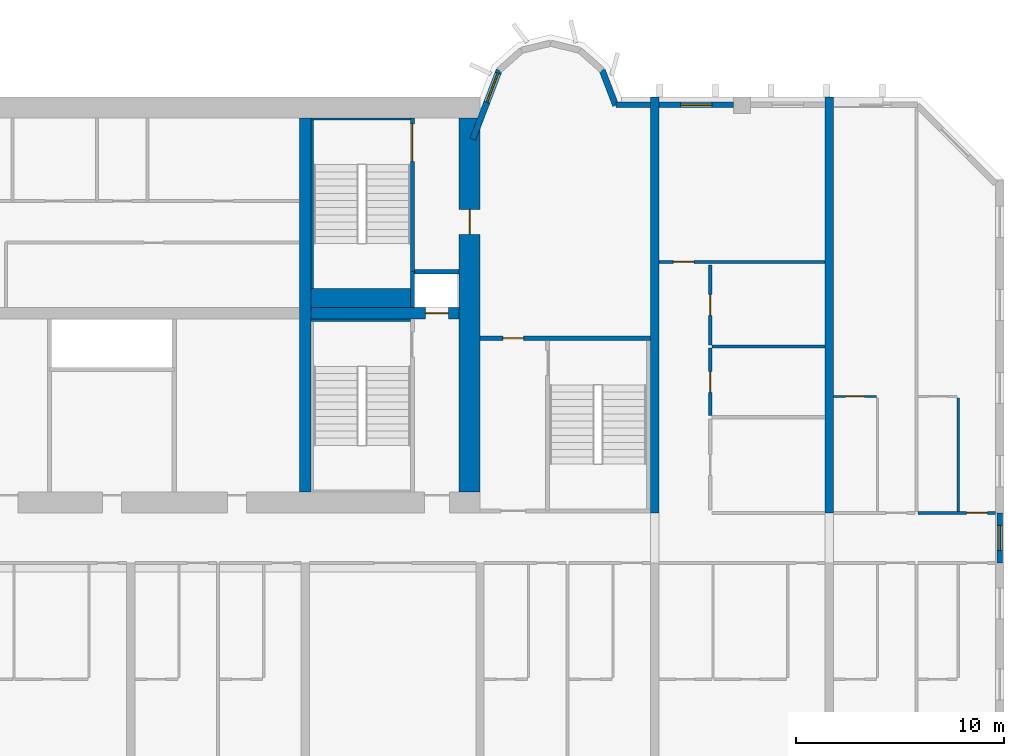
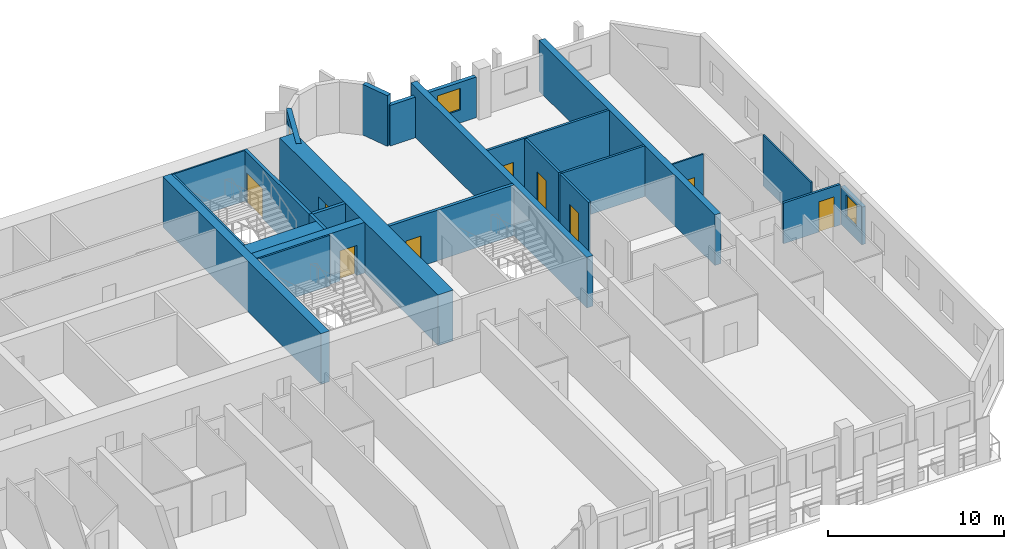
# One storey, part 10 of 15: 25 walls, 9 doors, 3 windows, 12 openings.
"""IFC4 building model written with IfcOpenShell, lengths in metres."""

from ifc_helpers import new_model, si_unit, direction, frame, frame_2d, origin, place, context, subcontext, project, spatial, rectangle, extrude, source, transform, mapped, material, layer, layer_set, type_object, element, fill, save


model = new_model("IFC4")

# Units and contexts
model_context = context("Model", 3, precision=1e-05, world=origin(), true_north=direction((0.0, 1.0)))
body_context = subcontext(model_context, "Body", "Model", "MODEL_VIEW")
ifc_project = project(units=[si_unit("LENGTHUNIT", "METRE"), si_unit("AREAUNIT", "SQUARE_METRE"), si_unit("VOLUMEUNIT", "CUBIC_METRE"), si_unit("PLANEANGLEUNIT", "RADIAN"), si_unit("MASSUNIT", "GRAM", prefix="KILO")], contexts=[model_context])

# Site, building, storey
site_placement = place(None, origin())
site = spatial("IfcSite", under=ifc_project, at=site_placement, CompositionType="ELEMENT")
building_placement = place(site_placement, origin())
building = spatial("IfcBuilding", under=site, at=building_placement, Name="Vanashikhar Sky Hotel", CompositionType="ELEMENT")
storey_placement = place(building_placement, frame((0.0, 0.0, 77.199951171875)))
storey = spatial("IfcBuildingStorey", under=building, at=storey_placement, Name="L18", CompositionType="ELEMENT", Elevation=77.199951171875)

# Wall, opening, door
ifc_material_1 = material(Name="Concrete M80", Category="concrete")
ifc_layer_1 = layer(ifc_material_1, 1.0)
ifc_layer_set_1 = layer_set([ifc_layer_1], Name="RC core shell wall 1000 Concrete M80")
wall_type_1 = type_object("IfcWallType", Name="RC core shell wall 1000 Concrete M80", PredefinedType="SHEAR", material=ifc_layer_set_1)
shared_shape_1 = source(origin(), body_context, "Body", "SweptSolid", [
    extrude(rectangle(XDim=18.0, YDim=1.0, at=frame_2d((9.0, 0.0))), origin(), (0.0, 0.0, 1.0), 3.52001953125),
])
wall_1_placement = place(storey_placement, frame((75.10009765625, 23.0, 0.0), z_axis=(0.0, 0.0, 1.0), x_axis=(0.0, 1.0, 0.0)))
wall_1 = element("IfcWall", 1, at=wall_1_placement, inside=storey, type_object=wall_type_1, Name="KW-L18-KE", PredefinedType="SHEAR", context=body_context, shape_type="MappedRepresentation", body=[
    mapped(shared_shape_1, transform((0.0, 0.0, 0.0), scale=1.0)),
])
shared_shape_2 = source(origin(), body_context, "Body", "SweptSolid", [
    extrude(rectangle(XDim=1.199951171875, YDim=2.10009765625, at=frame_2d((0.60009765625, 1.050048828125))), frame((0.0, 0.510009765625, 0.0), z_axis=(0.0, -1.0, 0.0), x_axis=(1.0, 0.0, 0.0)), (0.0, 0.0, 1.0), 1.02001953125),
])
opening_1_placement = place(wall_1_placement, frame((12.39990234375, 0.0, 0.0)))
opening_1 = element("IfcOpeningElement", 2, at=opening_1_placement, cuts=wall_1, Name="Opening DC-4-D", PredefinedType="OPENING", context=body_context, shape_type="MappedRepresentation", body=[
    mapped(shared_shape_2, transform((0.0, 0.0, 0.0), scale=1.0)),
])
ifc_material_2 = material(Name="Steel", Category="steel")
door_type_1 = type_object("IfcDoorType", Name="Service door 1200 FD120", OperationType="NOTDEFINED", PredefinedType="DOOR", material=ifc_material_2)
shared_shape_3 = source(origin(), body_context, "Body", "SweptSolid", [
    extrude(rectangle(XDim=1.199951171875, YDim=2.10009765625, at=frame_2d((0.60009765625, 1.050048828125))), frame((0.0, 0.02490234375, 0.0), z_axis=(0.0, -1.0, 0.0), x_axis=(1.0, 0.0, 0.0)), (0.0, 0.0, 1.0), 0.050048828125),
])
door_1_placement = place(opening_1_placement, origin())
door_1 = element("IfcDoor", 3, at=door_1_placement, inside=storey, type_object=door_type_1, Name="Service door 1200 FD120", OperationType="SINGLE_SWING_LEFT", OverallHeight=2.10009765625, OverallWidth=1.199951171875, PredefinedType="DOOR", context=body_context, shape_type="MappedRepresentation", body=[
    mapped(shared_shape_3, transform((0.0, 0.0, 0.0), scale=1.0)),
])
fill(opening_1, door_1)

# Wall
ifc_layer_2 = layer(ifc_material_1, 0.550048828125)
ifc_layer_set_2 = layer_set([ifc_layer_2], Name="RC core inner wall 550 Concrete M80")
wall_type_2 = type_object("IfcWallType", Name="RC core inner wall 550 Concrete M80", PredefinedType="SHEAR", material=ifc_layer_set_2)
shared_shape_4 = source(origin(), body_context, "Body", "SweptSolid", [
    extrude(rectangle(XDim=18.0, YDim=0.550048828125, at=frame_2d((9.0, 0.0))), origin(), (0.0, 0.0, 1.0), 3.52001953125),
])
wall_2_placement = place(storey_placement, frame((67.199951171875, 23.0, 0.0), z_axis=(0.0, 0.0, 1.0), x_axis=(0.0, 1.0, 0.0)))
element("IfcWall", 4, at=wall_2_placement, inside=storey, type_object=wall_type_2, Name="KW-L18-KX3", PredefinedType="SHEAR", context=body_context, shape_type="MappedRepresentation", body=[
    mapped(shared_shape_4, transform((0.0, 0.0, 0.0), scale=1.0)),
])

# Wall, opening, door
shared_shape_5 = source(origin(), body_context, "Body", "SweptSolid", [
    extrude(rectangle(XDim=7.125, YDim=0.550048828125, at=frame_2d((3.5625, 0.0))), origin(), (0.0, 0.0, 1.0), 3.52001953125),
])
wall_3_placement = place(storey_placement, frame((67.47509765625, 31.60009765625, 0.0), z_axis=(0.0, 0.0, 1.0), x_axis=(1.0, 0.0, 0.0)))
wall_3 = element("IfcWall", 5, at=wall_3_placement, inside=storey, type_object=wall_type_2, Name="KW-L18-KY4", PredefinedType="SHEAR", context=body_context, shape_type="MappedRepresentation", body=[
    mapped(shared_shape_5, transform((0.0, 0.0, 0.0), scale=1.0)),
])
shared_shape_6 = source(origin(), body_context, "Body", "SweptSolid", [
    extrude(rectangle(XDim=1.10009765625, YDim=2.10009765625, at=frame_2d((0.550048828125, 1.050048828125))), frame((0.0, 0.28515625, 0.0), z_axis=(0.0, -1.0, 0.0), x_axis=(1.0, 0.0, 0.0)), (0.0, 0.0, 1.0), 0.570068359375),
])
opening_2_placement = place(wall_3_placement, frame((5.5, 0.0, 0.0)))
opening_2 = element("IfcOpeningElement", 6, at=opening_2_placement, cuts=wall_3, Name="Opening LD", PredefinedType="OPENING", context=body_context, shape_type="MappedRepresentation", body=[
    mapped(shared_shape_6, transform((0.0, 0.0, 0.0), scale=1.0)),
])
ifc_material_3 = material(Name="Stainless steel", Category="steel")
door_type_2 = type_object("IfcDoorType", Name="Lift landing door 1100", OperationType="NOTDEFINED", PredefinedType="DOOR", material=ifc_material_3)
shared_shape_7 = source(origin(), body_context, "Body", "SweptSolid", [
    extrude(rectangle(XDim=1.10009765625, YDim=2.10009765625, at=frame_2d((0.550048828125, 1.050048828125))), frame((0.0, 0.02490234375, 0.0), z_axis=(0.0, -1.0, 0.0), x_axis=(1.0, 0.0, 0.0)), (0.0, 0.0, 1.0), 0.050048828125),
])
door_2_placement = place(opening_2_placement, origin())
door_2 = element("IfcDoor", 7, at=door_2_placement, inside=storey, type_object=door_type_2, Name="Lift landing door 1100", OperationType="SLIDING_TO_RIGHT", OverallHeight=2.10009765625, OverallWidth=1.10009765625, PredefinedType="DOOR", context=body_context, shape_type="MappedRepresentation", body=[
    mapped(shared_shape_7, transform((0.0, 0.0, 0.0), scale=1.0)),
])
fill(opening_2, door_2)

# Walls
ifc_layer_3 = layer(ifc_material_1, 0.39990234375)
ifc_layer_set_3 = layer_set([ifc_layer_3], Name="RC shear wall 400 Concrete M80")
wall_type_3 = type_object("IfcWallType", Name="RC shear wall 400 Concrete M80", PredefinedType="SHEAR", material=ifc_layer_set_3)
shared_shape_8 = source(origin(), body_context, "Body", "SweptSolid", [
    extrude(rectangle(XDim=20.0, YDim=0.39990234375, at=frame_2d((10.0, 0.0))), origin(), (0.0, 0.0, 1.0), 3.52001953125),
])
for number, where, z_axis, x_axis, name in (
    (8, (84.0, 22.0, 0.0), (0.0, 0.0, 1.0), (0.0, 1.0, 0.0), "CW-L18-XW11-2"),
    (9, (92.39990234375, 22.0, 0.0), (0.0, 0.0, 1.0), (0.0, 1.0, 0.0), "CW-L18-XW12-2"),
):
    element("IfcWall", number, at=place(storey_placement, frame(where, z_axis=z_axis, x_axis=x_axis)), inside=storey, type_object=wall_type_3, Name=name, PredefinedType="SHEAR", context=body_context, shape_type="MappedRepresentation", body=[
        mapped(shared_shape_8, transform((0.0, 0.0, 0.0), scale=1.0)),
    ])

# Wall, opening, window
ifc_material_4 = material(Name="Concrete M50", Category="concrete")
ifc_layer_4 = layer(ifc_material_4, 0.300048828125)
ifc_layer_set_4 = layer_set([ifc_layer_4], Name="Lobe wall 300")
wall_type_4 = type_object("IfcWallType", Name="Lobe wall 300", PredefinedType="SOLIDWALL", material=ifc_layer_set_4)
shared_shape_9 = source(origin(), body_context, "Body", "SweptSolid", [
    extrude(rectangle(XDim=3.55908203125, YDim=0.300048828125, at=frame_2d((1.779541015625, 0.0))), origin(), (0.0, 0.0, 1.0), 3.52001953125),
])
wall_4_placement = place(storey_placement, frame((76.5234375, 43.2919921875, 0.0), z_axis=(0.0, 0.0, 1.0), x_axis=(-0.35779745313, -0.933799219604, 0.0)))
wall_4 = element("IfcWall", 10, at=wall_4_placement, inside=storey, type_object=wall_type_4, Name="Lobe wall", PredefinedType="SOLIDWALL", context=body_context, shape_type="MappedRepresentation", body=[
    mapped(shared_shape_9, transform((0.0, 0.0, 0.0), scale=1.0)),
])
shared_shape_10 = source(origin(), body_context, "Body", "SweptSolid", [
    extrude(rectangle(XDim=1.5, YDim=2.0, at=frame_2d((0.75, 1.0))), frame((0.0, 0.16015625, 0.0), z_axis=(0.0, -1.0, 0.0), x_axis=(1.0, 0.0, 0.0)), (0.0, 0.0, 1.0), 0.320068359375),
])
opening_3_placement = place(wall_4_placement, frame((0.156005859375, 0.0, 0.89990234375)))
opening_3 = element("IfcOpeningElement", 11, at=opening_3_placement, cuts=wall_4, Name="Opening WN-2", PredefinedType="OPENING", context=body_context, shape_type="MappedRepresentation", body=[
    mapped(shared_shape_10, transform((0.0, 0.0, 0.0), scale=1.0)),
])
ifc_material_5 = material(Name="Glass", Category="glass")
window_type_1 = type_object("IfcWindowType", Name="Lobe window 1500 x 2000", PartitioningType="SINGLE_PANEL", PredefinedType="WINDOW", material=ifc_material_5)
shared_shape_11 = source(origin(), body_context, "Body", "SweptSolid", [
    extrude(rectangle(XDim=1.5, YDim=2.0, at=frame_2d((0.75, 1.0))), frame((0.0, 0.030029296875, 0.0), z_axis=(0.0, -1.0, 0.0), x_axis=(1.0, 0.0, 0.0)), (0.0, 0.0, 1.0), 0.06005859375),
])
window_1_placement = place(opening_3_placement, origin())
window_1 = element("IfcWindow", 12, at=window_1_placement, inside=storey, type_object=window_type_1, Name="Window WN-2", OverallHeight=2.0, OverallWidth=1.5, PartitioningType="SINGLE_PANEL", PredefinedType="WINDOW", context=body_context, shape_type="MappedRepresentation", body=[
    mapped(shared_shape_11, transform((0.0, 0.0, 0.0), scale=1.0)),
])
fill(opening_3, window_1)

# Wall
shared_shape_12 = source(origin(), body_context, "Body", "SweptSolid", [
    extrude(rectangle(XDim=1.81201171875, YDim=0.300048828125, at=frame_2d((0.906005859375, 0.0))), origin(), (0.0, 0.0, 1.0), 3.52001953125),
])
wall_5_placement = place(storey_placement, frame((82.125, 41.60009765625, 0.0), z_axis=(0.0, 0.0, 1.0), x_axis=(-0.357877270961, 0.93376863244, 0.0)))
element("IfcWall", 13, at=wall_5_placement, inside=storey, type_object=wall_type_4, Name="Lobe wall", PredefinedType="SOLIDWALL", context=body_context, shape_type="MappedRepresentation", body=[
    mapped(shared_shape_12, transform((0.0, 0.0, 0.0), scale=1.0)),
])

# Wall, opening, window
ifc_layer_5 = layer(ifc_material_4, 0.25)
ifc_layer_set_5 = layer_set([ifc_layer_5], Name="Rear and end board-marked wall 250")
wall_type_5 = type_object("IfcWallType", Name="Rear and end board-marked wall 250", PredefinedType="SOLIDWALL", material=ifc_layer_set_5)
shared_shape_13 = source(origin(), body_context, "Body", "SweptSolid", [
    extrude(rectangle(XDim=2.39990234375, YDim=0.25, at=frame_2d((1.199951171875, 0.0))), origin(), (0.0, 0.0, 1.0), 2.6201171875),
])
wall_6_placement = place(storey_placement, frame((100.60009765625, 19.60009765625, 0.0), z_axis=(0.0, 0.0, 1.0), x_axis=(0.0, 1.0, 0.0)))
wall_6 = element("IfcWall", 14, at=wall_6_placement, inside=storey, type_object=wall_type_5, Name="End corridor infill wall", PredefinedType="SOLIDWALL", context=body_context, shape_type="MappedRepresentation", body=[
    mapped(shared_shape_13, transform((0.0, 0.0, 0.0), scale=1.0)),
])
shared_shape_14 = source(origin(), body_context, "Body", "SweptSolid", [
    extrude(rectangle(XDim=1.199951171875, YDim=1.5, at=frame_2d((0.60009765625, 0.75))), frame((0.0, 0.135009765625, 0.0), z_axis=(0.0, -1.0, 0.0), x_axis=(1.0, 0.0, 0.0)), (0.0, 0.0, 1.0), 0.27001953125),
])
opening_4_placement = place(wall_6_placement, frame((0.60009765625, 0.0, 0.89990234375)))
opening_4 = element("IfcOpeningElement", 15, at=opening_4_placement, cuts=wall_6, Name="Opening WN-3", PredefinedType="OPENING", context=body_context, shape_type="MappedRepresentation", body=[
    mapped(shared_shape_14, transform((0.0, 0.0, 0.0), scale=1.0)),
])
window_type_2 = type_object("IfcWindowType", Name="Corridor end window 1200 x 1500", PartitioningType="SINGLE_PANEL", PredefinedType="WINDOW", material=ifc_material_5)
shared_shape_15 = source(origin(), body_context, "Body", "SweptSolid", [
    extrude(rectangle(XDim=1.199951171875, YDim=1.5, at=frame_2d((0.60009765625, 0.75))), frame((0.0, 0.030029296875, 0.0), z_axis=(0.0, -1.0, 0.0), x_axis=(1.0, 0.0, 0.0)), (0.0, 0.0, 1.0), 0.06005859375),
])
window_2_placement = place(opening_4_placement, origin())
window_2 = element("IfcWindow", 16, at=window_2_placement, inside=storey, type_object=window_type_2, Name="Window WN-3", OverallHeight=1.5, OverallWidth=1.199951171875, PartitioningType="SINGLE_PANEL", PredefinedType="WINDOW", context=body_context, shape_type="MappedRepresentation", body=[
    mapped(shared_shape_15, transform((0.0, 0.0, 0.0), scale=1.0)),
])
fill(opening_4, window_2)

# Wall
shared_shape_16 = source(origin(), body_context, "Body", "SweptSolid", [
    extrude(rectangle(XDim=1.657958984375, YDim=0.25, at=frame_2d((0.8291015625, 0.0))), origin(), (0.0, 0.0, 1.0), 2.820068359375),
])
wall_7_placement = place(storey_placement, frame((83.800048828125, 41.625, 0.0), z_axis=(0.0, 0.0, 1.0), x_axis=(-1.0, 0.0, 0.0)))
element("IfcWall", 17, at=wall_7_placement, inside=storey, type_object=wall_type_5, Name="Rear board-marked wall", PredefinedType="SOLIDWALL", context=body_context, shape_type="MappedRepresentation", body=[
    mapped(shared_shape_16, transform((0.0, 0.0, 0.0), scale=1.0)),
])

# Wall, opening, window
shared_shape_17 = source(origin(), body_context, "Body", "SweptSolid", [
    extrude(rectangle(XDim=3.60009765625, YDim=0.25, at=frame_2d((1.800048828125, 0.0))), origin(), (0.0, 0.0, 1.0), 2.820068359375),
])
wall_8_placement = place(storey_placement, frame((87.800048828125, 41.625, 0.0), z_axis=(0.0, 0.0, 1.0), x_axis=(-1.0, 0.0, 0.0)))
wall_8 = element("IfcWall", 18, at=wall_8_placement, inside=storey, type_object=wall_type_5, Name="Rear board-marked wall", PredefinedType="SOLIDWALL", context=body_context, shape_type="MappedRepresentation", body=[
    mapped(shared_shape_17, transform((0.0, 0.0, 0.0), scale=1.0)),
])
shared_shape_18 = source(origin(), body_context, "Body", "SweptSolid", [
    extrude(rectangle(XDim=1.5, YDim=1.5, at=frame_2d((0.75, 0.75))), frame((0.0, 0.135009765625, 0.0), z_axis=(0.0, -1.0, 0.0), x_axis=(1.0, 0.0, 0.0)), (0.0, 0.0, 1.0), 0.27001953125),
])
opening_5_placement = place(wall_8_placement, frame((1.050048828125, 0.0, 0.89990234375)))
opening_5 = element("IfcOpeningElement", 19, at=opening_5_placement, cuts=wall_8, Name="Opening WN-1", PredefinedType="OPENING", context=body_context, shape_type="MappedRepresentation", body=[
    mapped(shared_shape_18, transform((0.0, 0.0, 0.0), scale=1.0)),
])
window_type_3 = type_object("IfcWindowType", Name="Window 1500 x 1500", PartitioningType="SINGLE_PANEL", PredefinedType="WINDOW", material=ifc_material_5)
shared_shape_19 = source(origin(), body_context, "Body", "SweptSolid", [
    extrude(rectangle(XDim=1.5, YDim=1.5, at=frame_2d((0.75, 0.75))), frame((0.0, 0.030029296875, 0.0), z_axis=(0.0, -1.0, 0.0), x_axis=(1.0, 0.0, 0.0)), (0.0, 0.0, 1.0), 0.06005859375),
])
window_3_placement = place(opening_5_placement, origin())
window_3 = element("IfcWindow", 20, at=window_3_placement, inside=storey, type_object=window_type_3, Name="Window WN-1", OverallHeight=1.5, OverallWidth=1.5, PartitioningType="SINGLE_PANEL", PredefinedType="WINDOW", context=body_context, shape_type="MappedRepresentation", body=[
    mapped(shared_shape_19, transform((0.0, 0.0, 0.0), scale=1.0)),
])
fill(opening_5, window_3)

# Wall, opening, door
ifc_layer_6 = layer(ifc_material_4, 0.199951171875)
ifc_layer_set_6 = layer_set([ifc_layer_6], Name="Stair wall 200")
wall_type_6 = type_object("IfcWallType", Name="Stair wall 200", PredefinedType="SOLIDWALL", material=ifc_layer_set_6)
shared_shape_20 = source(origin(), body_context, "Body", "SweptSolid", [
    extrude(rectangle(XDim=8.199951171875, YDim=0.199951171875, at=frame_2d((4.10009765625, 0.0))), origin(), (0.0, 0.0, 1.0), 3.52001953125),
])
wall_9_placement = place(storey_placement, frame((83.800048828125, 30.39990234375, 0.0), z_axis=(0.0, 0.0, 1.0), x_axis=(-1.0, 0.0, 0.0)))
wall_9 = element("IfcWall", 21, at=wall_9_placement, inside=storey, type_object=wall_type_6, Name="Stair wall 200", PredefinedType="SOLIDWALL", context=body_context, shape_type="MappedRepresentation", body=[
    mapped(shared_shape_20, transform((0.0, 0.0, 0.0), scale=1.0)),
])
shared_shape_21 = source(origin(), body_context, "Body", "SweptSolid", [
    extrude(rectangle(XDim=1.0, YDim=2.10009765625, at=frame_2d((0.5, 1.050048828125))), frame((0.0, 0.10986328125, 0.0), z_axis=(0.0, -1.0, 0.0), x_axis=(1.0, 0.0, 0.0)), (0.0, 0.0, 1.0), 0.219970703125),
])
opening_6_placement = place(wall_9_placement, frame((6.10009765625, 0.0, 0.0)))
opening_6 = element("IfcOpeningElement", 22, at=opening_6_placement, cuts=wall_9, Name="Opening DC-6", PredefinedType="OPENING", context=body_context, shape_type="MappedRepresentation", body=[
    mapped(shared_shape_21, transform((0.0, 0.0, 0.0), scale=1.0)),
])
door_type_3 = type_object("IfcDoorType", Name="Pocket door 1000 FD60", OperationType="NOTDEFINED", PredefinedType="DOOR", material=ifc_material_2)
shared_shape_22 = source(origin(), body_context, "Body", "SweptSolid", [
    extrude(rectangle(XDim=1.0, YDim=2.10009765625, at=frame_2d((0.5, 1.050048828125))), frame((0.0, 0.02490234375, 0.0), z_axis=(0.0, -1.0, 0.0), x_axis=(1.0, 0.0, 0.0)), (0.0, 0.0, 1.0), 0.050048828125),
])
door_3_placement = place(opening_6_placement, origin())
door_3 = element("IfcDoor", 23, at=door_3_placement, inside=storey, type_object=door_type_3, Name="Pocket door 1000 FD60", OperationType="SINGLE_SWING_RIGHT", OverallHeight=2.10009765625, OverallWidth=1.0, PredefinedType="DOOR", context=body_context, shape_type="MappedRepresentation", body=[
    mapped(shared_shape_22, transform((0.0, 0.0, 0.0), scale=1.0)),
])
fill(opening_6, door_3)

# Walls
ifc_material_6 = material(Name="Concrete M40", Category="concrete")
ifc_layer_7 = layer(ifc_material_6, 0.199951171875)
ifc_layer_set_7 = layer_set([ifc_layer_7], Name="Shaft wall 200")
wall_type_7 = type_object("IfcWallType", Name="Shaft wall 200", PredefinedType="SOLIDWALL", material=ifc_layer_set_7)
shared_shape_23 = source(origin(), body_context, "Body", "SweptSolid", [
    extrude(rectangle(XDim=2.150146484375, YDim=0.199951171875, at=frame_2d((1.0751953125, 0.0))), origin(), (0.0, 0.0, 1.0), 3.52001953125),
])
wall_10_placement = place(storey_placement, frame((72.449951171875, 33.60009765625, 0.0), z_axis=(0.0, 0.0, 1.0), x_axis=(1.0, 0.0, 0.0)))
element("IfcWall", 24, at=wall_10_placement, inside=storey, type_object=wall_type_7, Name="Shaft wall 200", PredefinedType="SOLIDWALL", context=body_context, shape_type="MappedRepresentation", body=[
    mapped(shared_shape_23, transform((0.0, 0.0, 0.0), scale=1.0)),
])
shared_shape_24 = source(origin(), body_context, "Body", "SweptSolid", [
    extrude(rectangle(XDim=1.72509765625, YDim=0.199951171875, at=frame_2d((0.862548828125, 0.0))), origin(), (0.0, 0.0, 1.0), 3.52001953125),
])
wall_11_placement = place(storey_placement, frame((72.35009765625, 31.875, 0.0), z_axis=(0.0, 0.0, 1.0), x_axis=(0.0, 1.0, 0.0)))
element("IfcWall", 25, at=wall_11_placement, inside=storey, type_object=wall_type_7, Name="Shaft wall 200", PredefinedType="SOLIDWALL", context=body_context, shape_type="MappedRepresentation", body=[
    mapped(shared_shape_24, transform((0.0, 0.0, 0.0), scale=1.0)),
])

# Wall, opening, door
shared_shape_25 = source(origin(), body_context, "Body", "SweptSolid", [
    extrude(rectangle(XDim=7.39990234375, YDim=0.199951171875, at=frame_2d((3.699951171875, 0.0))), origin(), (0.0, 0.0, 1.0), 3.52001953125),
])
wall_12_placement = place(storey_placement, frame((72.35009765625, 33.60009765625, 0.0), z_axis=(0.0, 0.0, 1.0), x_axis=(0.0, 1.0, 0.0)))
wall_12 = element("IfcWall", 26, at=wall_12_placement, inside=storey, type_object=wall_type_6, Name="Stair wall 200", PredefinedType="SOLIDWALL", context=body_context, shape_type="MappedRepresentation", body=[
    mapped(shared_shape_25, transform((0.0, 0.0, 0.0), scale=1.0)),
])
shared_shape_26 = source(origin(), body_context, "Body", "SweptSolid", [
    extrude(rectangle(XDim=1.800048828125, YDim=2.10009765625, at=frame_2d((0.89990234375, 1.050048828125))), frame((0.0, 0.10986328125, 0.0), z_axis=(0.0, -1.0, 0.0), x_axis=(1.0, 0.0, 0.0)), (0.0, 0.0, 1.0), 0.219970703125),
])
opening_7_placement = place(wall_12_placement, frame((5.300048828125, 0.0, 0.0)))
opening_7 = element("IfcOpeningElement", 27, at=opening_7_placement, cuts=wall_12, Name="Opening DC-1-A", PredefinedType="OPENING", context=body_context, shape_type="MappedRepresentation", body=[
    mapped(shared_shape_26, transform((0.0, 0.0, 0.0), scale=1.0)),
])
door_type_4 = type_object("IfcDoorType", Name="Stair door 1800 FD120", OperationType="NOTDEFINED", PredefinedType="DOOR", material=ifc_material_2)
shared_shape_27 = source(origin(), body_context, "Body", "SweptSolid", [
    extrude(rectangle(XDim=1.800048828125, YDim=2.10009765625, at=frame_2d((0.89990234375, 1.050048828125))), frame((0.0, 0.02490234375, 0.0), z_axis=(0.0, -1.0, 0.0), x_axis=(1.0, 0.0, 0.0)), (0.0, 0.0, 1.0), 0.050048828125),
])
door_4_placement = place(opening_7_placement, origin())
door_4 = element("IfcDoor", 28, at=door_4_placement, inside=storey, type_object=door_type_4, Name="Stair door 1800 FD120", OperationType="SINGLE_SWING_LEFT", OverallHeight=2.10009765625, OverallWidth=1.800048828125, PredefinedType="DOOR", context=body_context, shape_type="MappedRepresentation", body=[
    mapped(shared_shape_27, transform((0.0, 0.0, 0.0), scale=1.0)),
])
fill(opening_7, door_4)

# Walls
ifc_layer_8 = layer(ifc_material_4, 0.10009765625)
ifc_layer_set_8 = layer_set([ifc_layer_8], Name="Stair infill wall 100")
wall_type_8 = type_object("IfcWallType", Name="Stair infill wall 100", PredefinedType="SOLIDWALL", material=ifc_layer_set_8)
shared_shape_28 = source(origin(), body_context, "Body", "SweptSolid", [
    extrude(rectangle(XDim=4.77490234375, YDim=0.10009765625, at=frame_2d((2.387451171875, 0.0))), origin(), (0.0, 0.0, 1.0), 3.52001953125),
])
wall_13_placement = place(storey_placement, frame((67.47509765625, 40.949951171875, 0.0), z_axis=(0.0, 0.0, 1.0), x_axis=(1.0, 0.0, 0.0)))
element("IfcWall", 29, at=wall_13_placement, inside=storey, type_object=wall_type_8, Name="Stair infill wall 100", PredefinedType="SOLIDWALL", context=body_context, shape_type="MappedRepresentation", body=[
    mapped(shared_shape_28, transform((0.0, 0.0, 0.0), scale=1.0)),
])
ifc_layer_9 = layer(ifc_material_4, 0.125)
ifc_layer_set_9 = layer_set([ifc_layer_9], Name="Stair infill wall 125")
wall_type_9 = type_object("IfcWallType", Name="Stair infill wall 125", PredefinedType="SOLIDWALL", material=ifc_layer_set_9)
shared_shape_29 = source(origin(), body_context, "Body", "SweptSolid", [
    extrude(rectangle(XDim=4.77490234375, YDim=0.125, at=frame_2d((2.387451171875, 0.0))), origin(), (0.0, 0.0, 1.0), 3.52001953125),
])
wall_14_placement = place(storey_placement, frame((67.47509765625, 31.261962890625, 0.0), z_axis=(0.0, 0.0, 1.0), x_axis=(1.0, 0.0, 0.0)))
element("IfcWall", 30, at=wall_14_placement, inside=storey, type_object=wall_type_9, Name="Stair infill wall 125", PredefinedType="SOLIDWALL", context=body_context, shape_type="MappedRepresentation", body=[
    mapped(shared_shape_29, transform((0.0, 0.0, 0.0), scale=1.0)),
])
shared_shape_30 = source(origin(), body_context, "Body", "SweptSolid", [
    extrude(rectangle(XDim=8.099853515625, YDim=0.125, at=frame_2d((4.0498046875, 0.0))), origin(), (0.0, 0.0, 1.0), 3.52001953125),
])
wall_15_placement = place(storey_placement, frame((67.537109375, 32.800048828125, 0.0), z_axis=(0.0, 0.0, 1.0), x_axis=(0.0, 1.0, 0.0)))
element("IfcWall", 31, at=wall_15_placement, inside=storey, type_object=wall_type_9, Name="Stair infill wall 125", PredefinedType="SOLIDWALL", context=body_context, shape_type="MappedRepresentation", body=[
    mapped(shared_shape_30, transform((0.0, 0.0, 0.0), scale=1.0)),
])
ifc_layer_10 = layer(ifc_material_4, 0.925048828125)
ifc_layer_set_10 = layer_set([ifc_layer_10], Name="Stair infill wall 925")
wall_type_10 = type_object("IfcWallType", Name="Stair infill wall 925", PredefinedType="SOLIDWALL", material=ifc_layer_set_10)
shared_shape_31 = source(origin(), body_context, "Body", "SweptSolid", [
    extrude(rectangle(XDim=4.77490234375, YDim=0.925048828125, at=frame_2d((2.387451171875, 0.0))), origin(), (0.0, 0.0, 1.0), 3.52001953125),
])
wall_16_placement = place(storey_placement, frame((67.47509765625, 32.3369140625, 0.0), z_axis=(0.0, 0.0, 1.0), x_axis=(1.0, 0.0, 0.0)))
element("IfcWall", 32, at=wall_16_placement, inside=storey, type_object=wall_type_10, Name="Stair infill wall 925", PredefinedType="SOLIDWALL", context=body_context, shape_type="MappedRepresentation", body=[
    mapped(shared_shape_31, transform((0.0, 0.0, 0.0), scale=1.0)),
])

# Wall, opening, door
ifc_material_7 = material(Name="Gypsum plasterboard partition")
ifc_layer_11 = layer(ifc_material_7, 0.14990234375)
ifc_layer_set_11 = layer_set([ifc_layer_11], Name="Corridor and demising partition 150")
wall_type_11 = type_object("IfcWallType", Name="Corridor and demising partition 150", PredefinedType="PARTITIONING", material=ifc_layer_set_11)
shared_shape_32 = source(origin(), body_context, "Body", "SweptSolid", [
    extrude(rectangle(XDim=3.25, YDim=0.14990234375, at=frame_2d((1.625, 0.0))), origin(), (0.0, 0.0, 1.0), 3.52001953125),
])
wall_17_placement = place(storey_placement, frame((86.675048828125, 26.675048828125, 0.0), z_axis=(0.0, 0.0, 1.0), x_axis=(0.0, 1.0, 0.0)))
wall_17 = element("IfcWall", 33, at=wall_17_placement, inside=storey, type_object=wall_type_11, Name="W-L18-PW088", PredefinedType="PARTITIONING", context=body_context, shape_type="MappedRepresentation", body=[
    mapped(shared_shape_32, transform((0.0, 0.0, 0.0), scale=1.0)),
])
shared_shape_33 = source(origin(), body_context, "Body", "SweptSolid", [
    extrude(rectangle(XDim=1.0, YDim=2.10009765625, at=frame_2d((0.5, 1.050048828125))), frame((0.0, 0.0849609375, 0.0), z_axis=(0.0, -1.0, 0.0), x_axis=(1.0, 0.0, 0.0)), (0.0, 0.0, 1.0), 0.169921875),
])
opening_8_placement = place(wall_17_placement, frame((1.125, 0.0, 0.0)))
opening_8 = element("IfcOpeningElement", 34, at=opening_8_placement, cuts=wall_17, Name="Opening D-01", PredefinedType="OPENING", context=body_context, shape_type="MappedRepresentation", body=[
    mapped(shared_shape_33, transform((0.0, 0.0, 0.0), scale=1.0)),
])
ifc_material_8 = material(Name="Timber fire door", Category="wood")
door_type_5 = type_object("IfcDoorType", Name="Guest entry door 1000 FD30S", OperationType="NOTDEFINED", PredefinedType="DOOR", material=ifc_material_8)
door_5_placement = place(opening_8_placement, origin())
door_5 = element("IfcDoor", 35, at=door_5_placement, inside=storey, type_object=door_type_5, Name="D-L18-050", OperationType="SINGLE_SWING_LEFT", OverallHeight=2.10009765625, OverallWidth=1.0, PredefinedType="DOOR", context=body_context, shape_type="MappedRepresentation", body=[
    mapped(shared_shape_22, transform((0.0, 0.0, 0.0), scale=1.0)),
])
fill(opening_8, door_5)

shared_shape_34 = source(origin(), body_context, "Body", "SweptSolid", [
    extrude(rectangle(XDim=3.85009765625, YDim=0.14990234375, at=frame_2d((1.925048828125, 0.0))), origin(), (0.0, 0.0, 1.0), 3.52001953125),
])
wall_18_placement = place(storey_placement, frame((86.675048828125, 30.074951171875, 0.0), z_axis=(0.0, 0.0, 1.0), x_axis=(0.0, 1.0, 0.0)))
wall_18 = element("IfcWall", 36, at=wall_18_placement, inside=storey, type_object=wall_type_11, Name="W-L18-PW090", PredefinedType="PARTITIONING", context=body_context, shape_type="MappedRepresentation", body=[
    mapped(shared_shape_34, transform((0.0, 0.0, 0.0), scale=1.0)),
])
opening_9_placement = place(wall_18_placement, frame((1.425048828125, 0.0, 0.0)))
opening_9 = element("IfcOpeningElement", 37, at=opening_9_placement, cuts=wall_18, Name="Opening D-01", PredefinedType="OPENING", context=body_context, shape_type="MappedRepresentation", body=[
    mapped(shared_shape_33, transform((0.0, 0.0, 0.0), scale=1.0)),
])
door_6_placement = place(opening_9_placement, origin())
door_6 = element("IfcDoor", 38, at=door_6_placement, inside=storey, type_object=door_type_5, Name="D-L18-051", OperationType="SINGLE_SWING_LEFT", OverallHeight=2.10009765625, OverallWidth=1.0, PredefinedType="DOOR", context=body_context, shape_type="MappedRepresentation", body=[
    mapped(shared_shape_22, transform((0.0, 0.0, 0.0), scale=1.0)),
])
fill(opening_9, door_6)

ifc_layer_12 = layer(ifc_material_7, 0.10009765625)
ifc_layer_set_12 = layer_set([ifc_layer_12], Name="Wet room partition 100")
wall_type_12 = type_object("IfcWallType", Name="Wet room partition 100", PredefinedType="PARTITIONING", material=ifc_layer_set_12)
shared_shape_35 = source(origin(), body_context, "Body", "SweptSolid", [
    extrude(rectangle(XDim=2.074951171875, YDim=0.10009765625, at=frame_2d((1.03759765625, 0.0))), origin(), (0.0, 0.0, 1.0), 3.52001953125),
])
wall_19_placement = place(storey_placement, frame((92.60009765625, 27.60009765625, 0.0), z_axis=(0.0, 0.0, 1.0), x_axis=(1.0, 0.0, 0.0)))
wall_19 = element("IfcWall", 39, at=wall_19_placement, inside=storey, type_object=wall_type_12, Name="W-L18-PW093", PredefinedType="PARTITIONING", context=body_context, shape_type="MappedRepresentation", body=[
    mapped(shared_shape_35, transform((0.0, 0.0, 0.0), scale=1.0)),
])
shared_shape_36 = source(origin(), body_context, "Body", "SweptSolid", [
    extrude(rectangle(XDim=0.89990234375, YDim=2.10009765625, at=frame_2d((0.449951171875, 1.050048828125))), frame((0.0, 0.06005859375, 0.0), z_axis=(0.0, -1.0, 0.0), x_axis=(1.0, 0.0, 0.0)), (0.0, 0.0, 1.0), 0.1201171875),
])
opening_10_placement = place(wall_19_placement, frame((0.5869140625, 0.0, 0.0)))
opening_10 = element("IfcOpeningElement", 40, at=opening_10_placement, cuts=wall_19, Name="Opening D-02", PredefinedType="OPENING", context=body_context, shape_type="MappedRepresentation", body=[
    mapped(shared_shape_36, transform((0.0, 0.0, 0.0), scale=1.0)),
])
ifc_material_9 = material(Name="Timber door", Category="wood")
door_type_6 = type_object("IfcDoorType", Name="Internal door 900", OperationType="NOTDEFINED", PredefinedType="DOOR", material=ifc_material_9)
shared_shape_37 = source(origin(), body_context, "Body", "SweptSolid", [
    extrude(rectangle(XDim=0.89990234375, YDim=2.10009765625, at=frame_2d((0.449951171875, 1.050048828125))), frame((0.0, 0.02490234375, 0.0), z_axis=(0.0, -1.0, 0.0), x_axis=(1.0, 0.0, 0.0)), (0.0, 0.0, 1.0), 0.050048828125),
])
door_7_placement = place(opening_10_placement, origin())
door_7 = element("IfcDoor", 41, at=door_7_placement, inside=storey, type_object=door_type_6, Name="D-L18-053", OperationType="SINGLE_SWING_RIGHT", OverallHeight=2.10009765625, OverallWidth=0.89990234375, PredefinedType="DOOR", context=body_context, shape_type="MappedRepresentation", body=[
    mapped(shared_shape_37, transform((0.0, 0.0, 0.0), scale=1.0)),
])
fill(opening_10, door_7)

# Wall
shared_shape_38 = source(origin(), body_context, "Body", "SweptSolid", [
    extrude(rectangle(XDim=5.449951171875, YDim=0.14990234375, at=frame_2d((2.72509765625, 0.0))), origin(), (0.0, 0.0, 1.0), 3.52001953125),
])
wall_20_placement = place(storey_placement, frame((86.75, 30.0, 0.0), z_axis=(0.0, 0.0, 1.0), x_axis=(1.0, 0.0, 0.0)))
element("IfcWall", 42, at=wall_20_placement, inside=storey, type_object=wall_type_11, Name="W-L18-PW089", PredefinedType="PARTITIONING", context=body_context, shape_type="MappedRepresentation", body=[
    mapped(shared_shape_38, transform((0.0, 0.0, 0.0), scale=1.0)),
])

# Wall, opening, door
shared_shape_39 = source(origin(), body_context, "Body", "SweptSolid", [
    extrude(rectangle(XDim=8.0, YDim=0.14990234375, at=frame_2d((4.0, 0.0))), origin(), (0.0, 0.0, 1.0), 3.52001953125),
])
wall_21_placement = place(storey_placement, frame((84.199951171875, 34.074951171875, 0.0), z_axis=(0.0, 0.0, 1.0), x_axis=(1.0, 0.0, 0.0)))
wall_21 = element("IfcWall", 43, at=wall_21_placement, inside=storey, type_object=wall_type_11, Name="W-L18-PW091", PredefinedType="PARTITIONING", context=body_context, shape_type="MappedRepresentation", body=[
    mapped(shared_shape_39, transform((0.0, 0.0, 0.0), scale=1.0)),
])
opening_11_placement = place(wall_21_placement, frame((0.699951171875, 0.0, 0.0)))
opening_11 = element("IfcOpeningElement", 44, at=opening_11_placement, cuts=wall_21, Name="Opening D-01", PredefinedType="OPENING", context=body_context, shape_type="MappedRepresentation", body=[
    mapped(shared_shape_33, transform((0.0, 0.0, 0.0), scale=1.0)),
])
door_8_placement = place(opening_11_placement, origin())
door_8 = element("IfcDoor", 45, at=door_8_placement, inside=storey, type_object=door_type_5, Name="D-L18-052", OperationType="SINGLE_SWING_LEFT", OverallHeight=2.10009765625, OverallWidth=1.0, PredefinedType="DOOR", context=body_context, shape_type="MappedRepresentation", body=[
    mapped(shared_shape_22, transform((0.0, 0.0, 0.0), scale=1.0)),
])
fill(opening_11, door_8)

shared_shape_40 = source(origin(), body_context, "Body", "SweptSolid", [
    extrude(rectangle(XDim=3.724853515625, YDim=0.14990234375, at=frame_2d((1.8623046875, 0.0))), origin(), (0.0, 0.0, 1.0), 2.820068359375),
])
wall_22_placement = place(storey_placement, frame((96.675048828125, 22.0, 0.0), z_axis=(0.0, 0.0, 1.0), x_axis=(1.0, 0.0, 0.0)))
wall_22 = element("IfcWall", 46, at=wall_22_placement, inside=storey, type_object=wall_type_11, Name="W-L18-PW097", PredefinedType="PARTITIONING", context=body_context, shape_type="MappedRepresentation", body=[
    mapped(shared_shape_40, transform((0.0, 0.0, 0.0), scale=1.0)),
])
opening_12_placement = place(wall_22_placement, frame((2.324951171875, 0.0, 0.0)))
opening_12 = element("IfcOpeningElement", 47, at=opening_12_placement, cuts=wall_22, Name="Opening D-01", PredefinedType="OPENING", context=body_context, shape_type="MappedRepresentation", body=[
    mapped(shared_shape_33, transform((0.0, 0.0, 0.0), scale=1.0)),
])
door_9_placement = place(opening_12_placement, origin())
door_9 = element("IfcDoor", 48, at=door_9_placement, inside=storey, type_object=door_type_5, Name="D-L18-056", OperationType="SINGLE_SWING_RIGHT", OverallHeight=2.10009765625, OverallWidth=1.0, PredefinedType="DOOR", context=body_context, shape_type="MappedRepresentation", body=[
    mapped(shared_shape_22, transform((0.0, 0.0, 0.0), scale=1.0)),
])
fill(opening_12, door_9)

# Wall
shared_shape_41 = source(origin(), body_context, "Body", "SweptSolid", [
    extrude(rectangle(XDim=5.449951171875, YDim=0.10009765625, at=frame_2d((2.72509765625, 0.0))), origin(), (0.0, 0.0, 1.0), 3.52001953125),
])
wall_23_placement = place(storey_placement, frame((98.60009765625, 22.074951171875, 0.0), z_axis=(0.0, 0.0, 1.0), x_axis=(0.0, 1.0, 0.0)))
element("IfcWall", 49, at=wall_23_placement, inside=storey, type_object=wall_type_12, Name="W-L18-PW095", PredefinedType="PARTITIONING", context=body_context, shape_type="MappedRepresentation", body=[
    mapped(shared_shape_41, transform((0.0, 0.0, 0.0), scale=1.0)),
])

save(model, "model.ifc")
